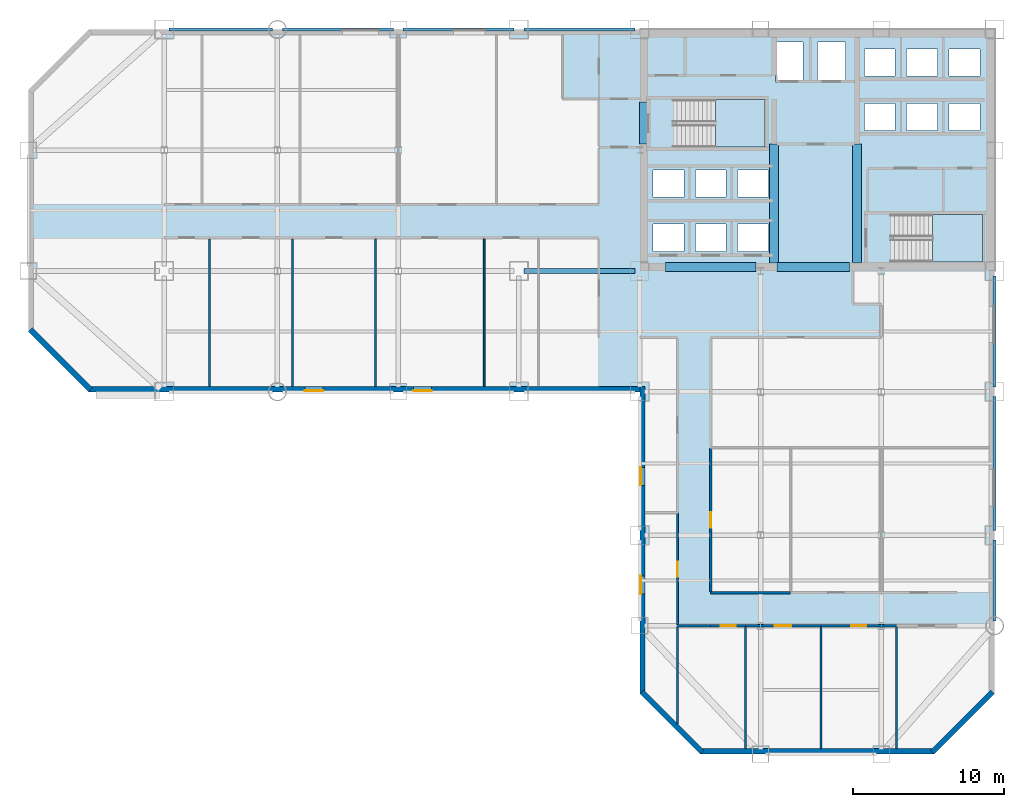
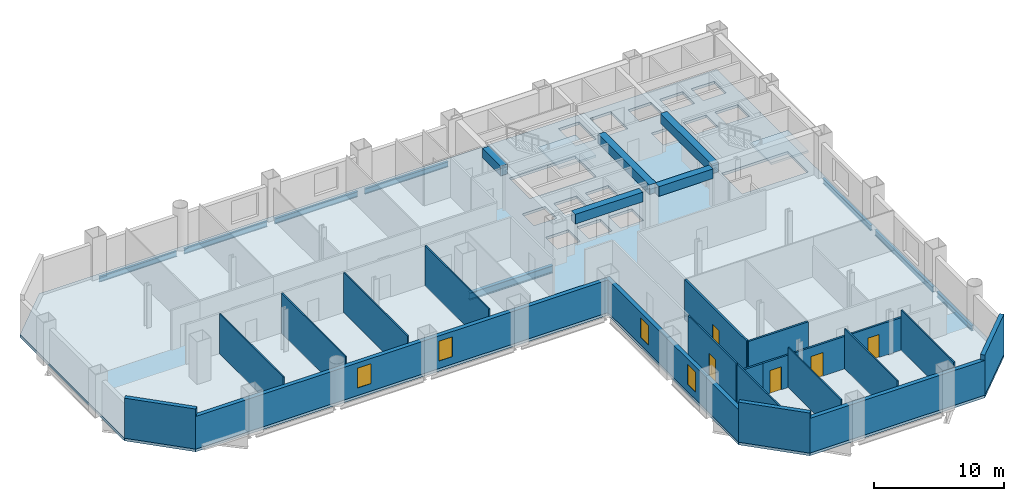
# One storey, part 4 of 9: 21 walls, 13 beams, 5 doors, 4 windows, 3 slabs, 9 openings, 2 elements without a shape of their own.
"""IFC4 building model written with IfcOpenShell, lengths in metres."""

from ifc_helpers import new_model, si_unit, direction, frame, frame_2d, origin, origin_2d, place, context, subcontext, project, spatial, polyline, rectangle, i_section, outline, extrude, material, layer, layer_set, material_profile, profile_set, type_object, element, fill, aggregate, save


model = new_model("IFC4")

# Units and contexts
model_context = context("Model", 3, precision=1e-05, world=origin(), true_north=direction((0.0, 1.0)))
body_context = subcontext(model_context, "Body", "Model", "MODEL_VIEW")
ifc_project = project(units=[si_unit("LENGTHUNIT", "METRE"), si_unit("AREAUNIT", "SQUARE_METRE"), si_unit("VOLUMEUNIT", "CUBIC_METRE"), si_unit("PLANEANGLEUNIT", "RADIAN"), si_unit("MASSUNIT", "GRAM", prefix="KILO")], contexts=[model_context])

# Site, building, storey
site_placement = place(None, origin())
site = spatial("IfcSite", under=ifc_project, at=site_placement, CompositionType="ELEMENT")
building_placement = place(site_placement, origin())
building = spatial("IfcBuilding", under=site, at=building_placement, Name="Qianrong Seaharbour Tower", CompositionType="ELEMENT")
storey_placement = place(building_placement, frame((0.0, 0.0, 96.199951171875)))
storey = spatial("IfcBuildingStorey", under=building, at=storey_placement, Name="L23", CompositionType="ELEMENT", Elevation=96.199951171875)

# Beams
ifc_material_1 = material(Name="Structural steel SN490B", Category="steel")
ifc_material_profile_1 = material_profile(ifc_material_1, i_section(OverallWidth=0.300048828125, OverallDepth=0.699951171875, WebThickness=0.012939453125, FlangeThickness=0.02392578125, FilletRadius=0.02587890625, at=origin_2d()), Name="H700x300x13x24")
ifc_profile_set_1 = profile_set([ifc_material_profile_1], Name="Structural steel SN490B")
beam_type_1 = type_object("IfcBeamType", Name="BM-G-700", PredefinedType="BEAM", material=ifc_profile_set_1)
beam_1_placement = place(storey_placement, frame((32.820068359375, 36.0, -0.599853515625), z_axis=(1.0, 0.0, 0.0), x_axis=(0.0, 1.0, 0.0)))
element("IfcBeam", 1, at=beam_1_placement, inside=storey, type_object=beam_type_1, Name="L23 Primary Girder GF G5-G6", PredefinedType="BEAM", context=body_context, shape_type="SweptSolid", body=[
    extrude(i_section(OverallWidth=0.300048828125, OverallDepth=0.699951171875, WebThickness=0.012939453125, FlangeThickness=0.02392578125, FilletRadius=0.02587890625, at=origin_2d()), origin(), (0.0, 0.0, 1.0), 7.35986328125),
])
ifc_material_2 = material(Name="Concrete C70/85", Category="concrete")
ifc_material_profile_2 = material_profile(ifc_material_2, rectangle(XDim=0.60009765625, YDim=0.89990234375, at=origin_2d()), Name="RC600x900")
ifc_profile_set_2 = profile_set([ifc_material_profile_2], Name="Concrete C70/85")
beam_type_2 = type_object("IfcBeamType", Name="BM-LINTEL-900", PredefinedType="LINTEL", material=ifc_profile_set_2)
beam_2_placement = place(storey_placement, frame((40.77001953125, 44.39990234375, 3.300048828125), z_axis=(0.0, 1.0, 0.0), x_axis=(-1.0, 0.0, 0.0)))
element("IfcBeam", 2, at=beam_2_placement, inside=storey, type_object=beam_type_2, Name="L23 Core Coupling Lintel Beam West", PredefinedType="LINTEL", context=body_context, shape_type="SweptSolid", body=[
    extrude(rectangle(XDim=0.60009765625, YDim=0.89990234375, at=origin_2d()), origin(), (0.0, 0.0, 1.0), 2.800048828125),
])
beam_3_placement = place(storey_placement, frame((42.199951171875, 36.27001953125, 3.300048828125), z_axis=(1.0, 0.0, 0.0), x_axis=(0.0, 1.0, 0.0)))
element("IfcBeam", 3, at=beam_3_placement, inside=storey, type_object=beam_type_2, Name="L23 Core Coupling Lintel Beam CBW", PredefinedType="LINTEL", context=body_context, shape_type="SweptSolid", body=[
    extrude(rectangle(XDim=0.60009765625, YDim=0.89990234375, at=origin_2d()), origin(), (0.0, 0.0, 1.0), 6.0),
])
beam_4_placement = place(storey_placement, frame((49.60009765625, 36.27001953125, 3.300048828125), z_axis=(1.0, 0.0, 0.0), x_axis=(0.0, 1.0, 0.0)))
element("IfcBeam", 4, at=beam_4_placement, inside=storey, type_object=beam_type_2, Name="L23 Core Coupling Lintel Beam CBC", PredefinedType="LINTEL", context=body_context, shape_type="SweptSolid", body=[
    extrude(rectangle(XDim=0.60009765625, YDim=0.89990234375, at=origin_2d()), origin(), (0.0, 0.0, 1.0), 4.7998046875),
])
for number, where, z_axis, x_axis, name in (
    (5, (49.39990234375, 36.5400390625, 3.300048828125), (0.0, 1.0, 0.0), (-1.0, 0.0, 0.0), "L23 Internal Core Coupling Beam IW1"),
    (6, (54.89990234375, 36.5400390625, 3.300048828125), (0.0, 1.0, 0.0), (-1.0, 0.0, 0.0), "L23 Internal Core Coupling Beam IW2"),
):
    element("IfcBeam", number, at=place(storey_placement, frame(where, z_axis=z_axis, x_axis=x_axis)), inside=storey, type_object=beam_type_2, Name=name, PredefinedType="LINTEL", context=body_context, shape_type="SweptSolid", body=[
        extrude(rectangle(XDim=0.60009765625, YDim=0.89990234375, at=origin_2d()), origin(), (0.0, 0.0, 1.0), 7.85986328125),
    ])
ifc_material_profile_3 = material_profile(ifc_material_1, i_section(OverallWidth=0.199951171875, OverallDepth=0.5, WebThickness=0.010009765625, FlangeThickness=0.01611328125, FilletRadius=0.02001953125, at=origin_2d()), Name="H500x200x10x16")
ifc_profile_set_3 = profile_set([ifc_material_profile_3], Name="Structural steel SN490B")
beam_type_3 = type_object("IfcBeamType", Name="BM-SP-500", PredefinedType="SPANDREL", material=ifc_profile_set_3)
beam_5_placement = place(storey_placement, frame((9.320068359375, 52.0, -0.5), z_axis=(1.0, 0.0, 0.0), x_axis=(0.0, 1.0, 0.0)))
element("IfcBeam", 7, at=beam_5_placement, inside=storey, type_object=beam_type_3, Name="L23 Spandrel Girder GH G2-G3", PredefinedType="SPANDREL", context=body_context, shape_type="SweptSolid", body=[
    extrude(i_section(OverallWidth=0.199951171875, OverallDepth=0.5, WebThickness=0.010009765625, FlangeThickness=0.01611328125, FilletRadius=0.02001953125, at=origin_2d()), origin(), (0.0, 0.0, 1.0), 6.85986328125),
])
for number, where, z_axis, x_axis, name in (
    (8, (16.820068359375, 52.0, -0.5), (1.0, 0.0, 0.0), (0.0, 1.0, 0.0), "L23 Spandrel Girder GH G3-G4"),
    (9, (24.820068359375, 52.0, -0.5), (1.0, 0.0, 0.0), (0.0, 1.0, 0.0), "L23 Spandrel Girder GH G4-G5"),
    (10, (32.820068359375, 52.0, -0.5), (1.0, 0.0, 0.0), (0.0, 1.0, 0.0), "L23 Spandrel Girder GH G5-G6"),
):
    element("IfcBeam", number, at=place(storey_placement, frame(where, z_axis=z_axis, x_axis=x_axis)), inside=storey, type_object=beam_type_3, Name=name, PredefinedType="SPANDREL", context=body_context, shape_type="SweptSolid", body=[
        extrude(i_section(OverallWidth=0.199951171875, OverallDepth=0.5, WebThickness=0.010009765625, FlangeThickness=0.01611328125, FilletRadius=0.02001953125, at=origin_2d()), origin(), (0.0, 0.0, 1.0), 7.35986328125),
    ])
beam_6_placement = place(storey_placement, frame((64.0, 12.820068359375, -0.5), z_axis=(0.0, 1.0, 0.0), x_axis=(-1.0, 0.0, 0.0)))
element("IfcBeam", 11, at=beam_6_placement, inside=storey, type_object=beam_type_3, Name="L23 Spandrel Girder G9 GC-GD", PredefinedType="SPANDREL", context=body_context, shape_type="SweptSolid", body=[
    extrude(i_section(OverallWidth=0.199951171875, OverallDepth=0.5, WebThickness=0.010009765625, FlangeThickness=0.01611328125, FilletRadius=0.02001953125, at=origin_2d()), origin(), (0.0, 0.0, 1.0), 5.35986328125),
])
beam_7_placement = place(storey_placement, frame((64.0, 18.820068359375, -0.5), z_axis=(0.0, 1.0, 0.0), x_axis=(-1.0, 0.0, 0.0)))
element("IfcBeam", 12, at=beam_7_placement, inside=storey, type_object=beam_type_3, Name="L23 Spandrel Girder G9 GD-GE", PredefinedType="SPANDREL", context=body_context, shape_type="SweptSolid", body=[
    extrude(i_section(OverallWidth=0.199951171875, OverallDepth=0.5, WebThickness=0.010009765625, FlangeThickness=0.01611328125, FilletRadius=0.02001953125, at=origin_2d()), origin(), (0.0, 0.0, 1.0), 8.85986328125),
])
beam_8_placement = place(storey_placement, frame((64.0, 28.320068359375, -0.5), z_axis=(0.0, 1.0, 0.0), x_axis=(-1.0, 0.0, 0.0)))
element("IfcBeam", 13, at=beam_8_placement, inside=storey, type_object=beam_type_3, Name="L23 Spandrel Girder G9 GE-GF", PredefinedType="SPANDREL", context=body_context, shape_type="SweptSolid", body=[
    extrude(i_section(OverallWidth=0.199951171875, OverallDepth=0.5, WebThickness=0.010009765625, FlangeThickness=0.01611328125, FilletRadius=0.02001953125, at=origin_2d()), origin(), (0.0, 0.0, 1.0), 7.35986328125),
])

# Stair, slab
ifc_material_3 = material(Name="Concrete C50/60", Category="concrete")
stair_type = type_object("IfcStairType", Name="STAIR-DOGLEG-1500-R22", PredefinedType="HALF_TURN_STAIR", material=ifc_material_3)
stair_1_placement = place(storey_placement, origin())
stair_1 = element("IfcStair", 14, at=stair_1_placement, inside=storey, type_object=stair_type, Name="L23 Protected Escape Stair ST-1", PredefinedType="HALF_TURN_STAIR")
ifc_layer_1 = layer(ifc_material_3, 0.199951171875)
ifc_layer_set_1 = layer_set([ifc_layer_1], Name="Concrete C50/60")
slab_type_1 = type_object("IfcSlabType", Name="SLAB-STAIR-LANDING-200", PredefinedType="LANDING", material=ifc_layer_set_1)
slab_1_placement = place(storey_placement, frame((0.0, 0.0, 1.800048828125)))
slab_1 = element("IfcSlab", 15, at=slab_1_placement, type_object=slab_type_1, Name="ST-1 landing 1", PredefinedType="LANDING", context=body_context, shape_type="SweptSolid", body=[
    extrude(outline(polyline([(45.5, 44.199951171875), (48.800048828125, 44.199951171875), (48.800048828125, 47.35009765625), (45.5, 47.35009765625), (45.5, 44.199951171875)])), origin(), (0.0, 0.0, 1.0), 0.199951171875),
])
aggregate(stair_1, [slab_1])

stair_2_placement = place(storey_placement, origin())
stair_2 = element("IfcStair", 16, at=stair_2_placement, inside=storey, type_object=stair_type, Name="L23 Protected Escape Stair ST-2", PredefinedType="HALF_TURN_STAIR")
slab_2_placement = place(storey_placement, frame((0.0, 0.0, 1.800048828125)))
slab_2 = element("IfcSlab", 17, at=slab_2_placement, type_object=slab_type_1, Name="ST-2 landing 1", PredefinedType="LANDING", context=body_context, shape_type="SweptSolid", body=[
    extrude(outline(polyline([(59.89990234375, 36.60009765625), (63.199951171875, 36.60009765625), (63.199951171875, 39.75), (59.89990234375, 39.75), (59.89990234375, 36.60009765625)])), origin(), (0.0, 0.0, 1.0), 0.199951171875),
])
aggregate(stair_2, [slab_2])

# Slab
ifc_layer_2 = layer(ifc_material_3, 0.25)
ifc_layer_set_2 = layer_set([ifc_layer_2], Name="Concrete C50/60")
slab_type_2 = type_object("IfcSlabType", Name="SLAB-Z1-250", PredefinedType="FLOOR", material=ifc_layer_set_2)
slab_3_placement = place(storey_placement, frame((0.0, 0.0, -0.25)))
element("IfcSlab", 18, at=slab_3_placement, inside=storey, type_object=slab_type_2, Name="L23 Structural Floor Slab", PredefinedType="FLOOR", context=body_context, shape_type="SweptSolid", body=[
    extrude(outline(polyline([(44.5, 4.0), (60.0, 4.0), (64.0, 8.0), (64.0, 52.0), (4.0, 52.0), (0.0, 48.0), (0.0, 32.0), (4.0, 28.0), (40.5, 28.0), (40.5, 8.0), (44.5, 4.0)]), holes=[polyline([(42.93994140625, 44.199951171875), (42.93994140625, 47.35009765625), (48.800048828125, 47.35009765625), (48.800048828125, 44.199951171875), (42.93994140625, 44.199951171875)]), polyline([(57.340087890625, 36.60009765625), (57.340087890625, 39.75), (63.199951171875, 39.75), (63.199951171875, 36.60009765625), (57.340087890625, 36.60009765625)]), polyline([(49.47998046875, 48.530029296875), (49.47998046875, 51.169921875), (51.320068359375, 51.169921875), (51.320068359375, 48.530029296875), (49.47998046875, 48.530029296875)]), polyline([(52.280029296875, 48.530029296875), (52.280029296875, 51.169921875), (54.1201171875, 51.169921875), (54.1201171875, 48.530029296875), (52.280029296875, 48.530029296875)]), polyline([(41.3798828125, 37.300048828125), (41.3798828125, 39.10009765625), (43.419921875, 39.10009765625), (43.419921875, 37.300048828125), (41.3798828125, 37.300048828125)]), polyline([(44.179931640625, 37.300048828125), (44.179931640625, 39.10009765625), (46.219970703125, 39.10009765625), (46.219970703125, 37.300048828125), (44.179931640625, 37.300048828125)]), polyline([(46.97998046875, 37.300048828125), (46.97998046875, 39.10009765625), (49.02001953125, 39.10009765625), (49.02001953125, 37.300048828125), (46.97998046875, 37.300048828125)]), polyline([(41.3798828125, 40.89990234375), (41.3798828125, 42.699951171875), (43.419921875, 42.699951171875), (43.419921875, 40.89990234375), (41.3798828125, 40.89990234375)]), polyline([(44.179931640625, 40.89990234375), (44.179931640625, 42.699951171875), (46.219970703125, 42.699951171875), (46.219970703125, 40.89990234375), (44.179931640625, 40.89990234375)]), polyline([(46.97998046875, 40.89990234375), (46.97998046875, 42.699951171875), (49.02001953125, 42.699951171875), (49.02001953125, 40.89990234375), (46.97998046875, 40.89990234375)]), polyline([(55.3798828125, 45.300048828125), (55.3798828125, 47.10009765625), (57.419921875, 47.10009765625), (57.419921875, 45.300048828125), (55.3798828125, 45.300048828125)]), polyline([(58.179931640625, 45.300048828125), (58.179931640625, 47.10009765625), (60.219970703125, 47.10009765625), (60.219970703125, 45.300048828125), (58.179931640625, 45.300048828125)]), polyline([(60.97998046875, 45.300048828125), (60.97998046875, 47.10009765625), (63.02001953125, 47.10009765625), (63.02001953125, 45.300048828125), (60.97998046875, 45.300048828125)]), polyline([(55.3798828125, 48.89990234375), (55.3798828125, 50.699951171875), (57.419921875, 50.699951171875), (57.419921875, 48.89990234375), (55.3798828125, 48.89990234375)]), polyline([(58.179931640625, 48.89990234375), (58.179931640625, 50.699951171875), (60.219970703125, 50.699951171875), (60.219970703125, 48.89990234375), (58.179931640625, 48.89990234375)]), polyline([(60.97998046875, 48.89990234375), (60.97998046875, 50.699951171875), (63.02001953125, 50.699951171875), (63.02001953125, 48.89990234375), (60.97998046875, 48.89990234375)])]), origin(), (0.0, 0.0, 1.0), 0.25),
])

# Wall, opening, door
ifc_material_4 = material(Name="Fire-rated acoustic gypsum board partition")
ifc_layer_3 = layer(ifc_material_4, 0.1650390625)
ifc_layer_set_3 = layer_set([ifc_layer_3], Name="Fire-rated acoustic gypsum board partition")
wall_type_1 = type_object("IfcWallType", Name="WALL-CORR-PART-165", PredefinedType="PARTITIONING", material=ifc_layer_set_3)
wall_1_placement = place(storey_placement, frame((45.199951171875, 24.242919921875, 0.0), z_axis=(0.0, 0.0, 1.0), x_axis=(0.0, -1.0, 0.0)))
wall_1 = element("IfcWall", 19, at=wall_1_placement, inside=storey, type_object=wall_type_1, Name="L23 Interior Partition Wall 034", PredefinedType="PARTITIONING", context=body_context, shape_type="SweptSolid", body=[
    extrude(rectangle(XDim=9.468505859375, YDim=0.1650390625, at=frame_2d((4.734375, 0.0))), origin(), (0.0, 0.0, 1.0), 3.75),
])
opening_1_placement = place(wall_1_placement, frame((4.234375, 0.0, 0.0)))
opening_1 = element("IfcOpeningElement", 20, at=opening_1_placement, cuts=wall_1, Name="Opening DO-01", PredefinedType="OPENING", context=body_context, shape_type="SweptSolid", body=[
    extrude(rectangle(XDim=1.0, YDim=2.14990234375, at=frame_2d((0.5, 1.074951171875))), frame((0.0, 0.092529296875, 0.0), z_axis=(0.0, -1.0, 0.0), x_axis=(1.0, 0.0, 0.0)), (0.0, 0.0, 1.0), 0.18505859375),
])
ifc_material_5 = material(Name="Acoustic timber and galvanized steel fire door assembly", Category="steel")
door_type_1 = type_object("IfcDoorType", Name="DOOR-OFFICE-1000x2150", OperationType="NOTDEFINED", PredefinedType="DOOR", material=ifc_material_5)
door_1_placement = place(opening_1_placement, origin())
door_1 = element("IfcDoor", 21, at=door_1_placement, inside=storey, type_object=door_type_1, Name="L23 Chartering Model Showroom 1 Door", OperationType="SINGLE_SWING_LEFT", OverallHeight=2.14990234375, OverallWidth=1.0, PredefinedType="DOOR", context=body_context, shape_type="SweptSolid", body=[
    extrude(rectangle(XDim=1.0, YDim=2.14990234375, at=frame_2d((0.5, 1.074951171875))), frame((0.0, 0.02490234375, 0.0), z_axis=(0.0, -1.0, 0.0), x_axis=(1.0, 0.0, 0.0)), (0.0, 0.0, 1.0), 0.050048828125),
])
fill(opening_1, door_1)

# Walls
wall_2_placement = place(storey_placement, frame((45.199951171875, 12.5, 0.0), z_axis=(0.0, 0.0, 1.0), x_axis=(-1.0, 0.0, 0.0)))
element("IfcWall", 22, at=wall_2_placement, inside=storey, type_object=wall_type_1, Name="L23 Interior Partition Wall 037", PredefinedType="PARTITIONING", context=body_context, shape_type="SweptSolid", body=[
    extrude(rectangle(XDim=2.199951171875, YDim=0.1650390625, at=frame_2d((1.10009765625, 0.0))), origin(), (0.0, 0.0, 1.0), 3.0419921875),
])
wall_3_placement = place(storey_placement, frame((45.199951171875, 14.699951171875, 0.0), z_axis=(0.0, 0.0, 1.0), x_axis=(1.0, 0.0, 0.0)))
element("IfcWall", 23, at=wall_3_placement, inside=storey, type_object=wall_type_1, Name="L23 Interior Partition Wall 038", PredefinedType="PARTITIONING", context=body_context, shape_type="SweptSolid", body=[
    extrude(rectangle(XDim=5.300048828125, YDim=0.1650390625, at=frame_2d((2.64990234375, 0.0))), origin(), (0.0, 0.0, 1.0), 3.75),
])

# Wall, opening, door
wall_4_placement = place(storey_placement, frame((47.5, 12.5, 0.0), z_axis=(0.0, 0.0, 1.0), x_axis=(-1.0, 0.0, 0.0)))
wall_4 = element("IfcWall", 24, at=wall_4_placement, inside=storey, type_object=wall_type_1, Name="L23 Interior Partition Wall 041", PredefinedType="PARTITIONING", context=body_context, shape_type="SweptSolid", body=[
    extrude(rectangle(XDim=2.300048828125, YDim=0.1650390625, at=frame_2d((1.14990234375, 0.0))), origin(), (0.0, 0.0, 1.0), 3.0419921875),
])
opening_2_placement = place(wall_4_placement, frame((0.64990234375, 0.0, 0.0)))
opening_2 = element("IfcOpeningElement", 25, at=opening_2_placement, cuts=wall_4, Name="Opening DO-01", PredefinedType="OPENING", context=body_context, shape_type="SweptSolid", body=[
    extrude(rectangle(XDim=1.0, YDim=2.14990234375, at=frame_2d((0.5, 1.074951171875))), frame((0.0, 0.092529296875, 0.0), z_axis=(0.0, -1.0, 0.0), x_axis=(1.0, 0.0, 0.0)), (0.0, 0.0, 1.0), 0.18505859375),
])
door_2_placement = place(opening_2_placement, origin())
door_2 = element("IfcDoor", 26, at=door_2_placement, inside=storey, type_object=door_type_1, Name="L23 Harbour Trade Lounge 1 Door", OperationType="SINGLE_SWING_LEFT", OverallHeight=2.14990234375, OverallWidth=1.0, PredefinedType="DOOR", context=body_context, shape_type="SweptSolid", body=[
    extrude(rectangle(XDim=1.0, YDim=2.14990234375, at=frame_2d((0.5, 1.074951171875))), frame((0.0, 0.02490234375, 0.0), z_axis=(0.0, -1.0, 0.0), x_axis=(1.0, 0.0, 0.0)), (0.0, 0.0, 1.0), 0.050048828125),
])
fill(opening_2, door_2)

wall_5_placement = place(storey_placement, frame((52.5, 12.5, 0.0), z_axis=(0.0, 0.0, 1.0), x_axis=(-1.0, 0.0, 0.0)))
wall_5 = element("IfcWall", 27, at=wall_5_placement, inside=storey, type_object=wall_type_1, Name="L23 Interior Partition Wall 042", PredefinedType="PARTITIONING", context=body_context, shape_type="SweptSolid", body=[
    extrude(rectangle(XDim=5.0, YDim=0.1650390625, at=frame_2d((2.5, 0.0))), origin(), (0.0, 0.0, 1.0), 3.0419921875),
])
opening_3_placement = place(wall_5_placement, frame((1.949951171875, 0.0, 0.0)))
opening_3 = element("IfcOpeningElement", 28, at=opening_3_placement, cuts=wall_5, Name="Opening DM-01", PredefinedType="OPENING", context=body_context, shape_type="SweptSolid", body=[
    extrude(rectangle(XDim=1.10009765625, YDim=2.199951171875, at=frame_2d((0.550048828125, 1.10009765625))), frame((0.0, 0.092529296875, 0.0), z_axis=(0.0, -1.0, 0.0), x_axis=(1.0, 0.0, 0.0)), (0.0, 0.0, 1.0), 0.18505859375),
])
door_type_2 = type_object("IfcDoorType", Name="DOOR-MEET-1100x2200", OperationType="NOTDEFINED", PredefinedType="DOOR", material=ifc_material_5)
door_3_placement = place(opening_3_placement, origin())
door_3 = element("IfcDoor", 29, at=door_3_placement, inside=storey, type_object=door_type_2, Name="L23 Contract Signing Room 2 Door", OperationType="SINGLE_SWING_RIGHT", OverallHeight=2.199951171875, OverallWidth=1.10009765625, PredefinedType="DOOR", context=body_context, shape_type="SweptSolid", body=[
    extrude(rectangle(XDim=1.10009765625, YDim=2.199951171875, at=frame_2d((0.550048828125, 1.10009765625))), frame((0.0, 0.02490234375, 0.0), z_axis=(0.0, -1.0, 0.0), x_axis=(1.0, 0.0, 0.0)), (0.0, 0.0, 1.0), 0.050048828125),
])
fill(opening_3, door_3)

wall_6_placement = place(storey_placement, frame((57.5, 12.5, 0.0), z_axis=(0.0, 0.0, 1.0), x_axis=(-1.0, 0.0, 0.0)))
wall_6 = element("IfcWall", 30, at=wall_6_placement, inside=storey, type_object=wall_type_1, Name="L23 Interior Partition Wall 043", PredefinedType="PARTITIONING", context=body_context, shape_type="SweptSolid", body=[
    extrude(rectangle(XDim=5.0, YDim=0.1650390625, at=frame_2d((2.5, 0.0))), origin(), (0.0, 0.0, 1.0), 3.0419921875),
])
opening_4_placement = place(wall_6_placement, frame((2.0, 0.0, 0.0)))
opening_4 = element("IfcOpeningElement", 31, at=opening_4_placement, cuts=wall_6, Name="Opening DO-01", PredefinedType="OPENING", context=body_context, shape_type="SweptSolid", body=[
    extrude(rectangle(XDim=1.0, YDim=2.14990234375, at=frame_2d((0.5, 1.074951171875))), frame((0.0, 0.092529296875, 0.0), z_axis=(0.0, -1.0, 0.0), x_axis=(1.0, 0.0, 0.0)), (0.0, 0.0, 1.0), 0.18505859375),
])
door_4_placement = place(opening_4_placement, origin())
door_4 = element("IfcDoor", 32, at=door_4_placement, inside=storey, type_object=door_type_1, Name="L23 Marine Showcase Showroom 3 Door", OperationType="SINGLE_SWING_LEFT", OverallHeight=2.14990234375, OverallWidth=1.0, PredefinedType="DOOR", context=body_context, shape_type="SweptSolid", body=[
    extrude(rectangle(XDim=1.0, YDim=2.14990234375, at=frame_2d((0.5, 1.074951171875))), frame((0.0, 0.02490234375, 0.0), z_axis=(0.0, -1.0, 0.0), x_axis=(1.0, 0.0, 0.0)), (0.0, 0.0, 1.0), 0.050048828125),
])
fill(opening_4, door_4)

# Walls
ifc_material_6 = material(Name="Demountable aluminium-framed acoustic office partition", Category="aluminium")
ifc_layer_4 = layer(ifc_material_6, 0.110107421875)
ifc_layer_set_4 = layer_set([ifc_layer_4], Name="Demountable aluminium-framed acoustic office partition")
wall_type_2 = type_object("IfcWallType", Name="WALL-DEMOUNT-110", PredefinedType="MOVABLE", material=ifc_layer_set_4)
for number, where, z_axis, x_axis, name in (
    (33, (12.0, 38.12548828125, 0.0), (0.0, 0.0, 1.0), (0.0, -1.0, 0.0), "L23 Interior Partition Wall 054"),
    (34, (17.5, 38.12548828125, 0.0), (0.0, 0.0, 1.0), (0.0, -1.0, 0.0), "L23 Interior Partition Wall 055"),
    (35, (23.0, 38.12548828125, 0.0), (0.0, 0.0, 1.0), (0.0, -1.0, 0.0), "L23 Interior Partition Wall 056"),
    (36, (30.199951171875, 38.12548828125, 0.0), (0.0, 0.0, 1.0), (0.0, -1.0, 0.0), "L23 Interior Partition Wall 057"),
):
    element("IfcWall", number, at=place(storey_placement, frame(where, z_axis=z_axis, x_axis=x_axis)), inside=storey, type_object=wall_type_2, Name=name, PredefinedType="MOVABLE", context=body_context, shape_type="SweptSolid", body=[
        extrude(rectangle(XDim=9.7734375, YDim=0.110107421875, at=frame_2d((4.88671875, 0.0))), origin(), (0.0, 0.0, 1.0), 3.75),
    ])
for number, where, z_axis, x_axis, name in (
    (37, (47.5, 12.425537109375, 0.0), (0.0, 0.0, 1.0), (0.0, -1.0, 0.0), "L23 Interior Partition Wall 061"),
    (38, (52.5, 12.425537109375, 0.0), (0.0, 0.0, 1.0), (0.0, -1.0, 0.0), "L23 Interior Partition Wall 062"),
    (39, (57.5, 12.425537109375, 0.0), (0.0, 0.0, 1.0), (0.0, -1.0, 0.0), "L23 Interior Partition Wall 063"),
):
    element("IfcWall", number, at=place(storey_placement, frame(where, z_axis=z_axis, x_axis=x_axis)), inside=storey, type_object=wall_type_2, Name=name, PredefinedType="MOVABLE", context=body_context, shape_type="SweptSolid", body=[
        extrude(rectangle(XDim=8.073486328125, YDim=0.110107421875, at=frame_2d((4.03662109375, 0.0))), origin(), (0.0, 0.0, 1.0), 3.75),
    ])

# Wall, openings, windows
ifc_material_7 = material(Name="Unitised red brick on Precast concrete C45/55", Category="masonry")
ifc_layer_5 = layer(ifc_material_7, 0.360107421875)
ifc_layer_set_5 = layer_set([ifc_layer_5], Name="Unitised red brick on Precast concrete C45/55")
wall_type_3 = type_object("IfcWallType", Name="WALL-EXT-BRICK-RED-360", PredefinedType="SOLIDWALL", material=ifc_layer_set_5)
wall_7_placement = place(storey_placement, frame((40.679931640625, 8.0, 0.0), z_axis=(0.0, 0.0, 1.0), x_axis=(0.0, 1.0, 0.0)))
wall_7 = element("IfcWall", 40, at=wall_7_placement, inside=storey, type_object=wall_type_3, Name="L23 Exterior Masonry Facade Wall REENTRANT_WEST", PredefinedType="SOLIDWALL", context=body_context, shape_type="SweptSolid", body=[
    extrude(rectangle(XDim=20.360107421875, YDim=0.360107421875, at=frame_2d((10.18017578125, 0.0))), origin(), (0.0, 0.0, 1.0), 3.050048828125),
])
opening_5_placement = place(wall_7_placement, frame((6.60009765625, 0.0, 0.699951171875)))
opening_5 = element("IfcOpeningElement", 41, at=opening_5_placement, cuts=wall_7, Name="Opening WN-01", PredefinedType="OPENING", context=body_context, shape_type="SweptSolid", body=[
    extrude(rectangle(XDim=1.199951171875, YDim=1.85009765625, at=frame_2d((0.60009765625, 0.925048828125))), frame((0.0, 0.18994140625, 0.0), z_axis=(0.0, -1.0, 0.0), x_axis=(1.0, 0.0, 0.0)), (0.0, 0.0, 1.0), 0.380126953125),
])
opening_6_placement = place(wall_7_placement, frame((13.800048828125, 0.0, 0.699951171875)))
opening_6 = element("IfcOpeningElement", 42, at=opening_6_placement, cuts=wall_7, Name="Opening WN-01", PredefinedType="OPENING", context=body_context, shape_type="SweptSolid", body=[
    extrude(rectangle(XDim=1.199951171875, YDim=1.85009765625, at=frame_2d((0.60009765625, 0.925048828125))), frame((0.0, 0.18994140625, 0.0), z_axis=(0.0, -1.0, 0.0), x_axis=(1.0, 0.0, 0.0)), (0.0, 0.0, 1.0), 0.380126953125),
])
ifc_material_8 = material(Name="Insulated low-e double glazing in thermally broken aluminium 6063-T6 frame", Category="aluminium")
window_type = type_object("IfcWindowType", Name="WIN-PUNCH-1200x1850", PartitioningType="DOUBLE_PANEL_VERTICAL", PredefinedType="WINDOW", material=ifc_material_8)
window_1_placement = place(opening_5_placement, origin())
window_1 = element("IfcWindow", 43, at=window_1_placement, inside=storey, type_object=window_type, Name="L23 Deep-Set Punched Window 00.02", OverallHeight=1.85009765625, OverallWidth=1.199951171875, PartitioningType="DOUBLE_PANEL_VERTICAL", PredefinedType="WINDOW", context=body_context, shape_type="SweptSolid", body=[
    extrude(rectangle(XDim=1.199951171875, YDim=1.85009765625, at=frame_2d((0.60009765625, 0.925048828125))), frame((0.0, 0.150146484375, 0.0), z_axis=(0.0, -1.0, 0.0), x_axis=(1.0, 0.0, 0.0)), (0.0, 0.0, 1.0), 0.06005859375),
])
fill(opening_5, window_1)
window_2_placement = place(opening_6_placement, origin())
window_2 = element("IfcWindow", 44, at=window_2_placement, inside=storey, type_object=window_type, Name="L23 Deep-Set Punched Window 00.04", OverallHeight=1.85009765625, OverallWidth=1.199951171875, PartitioningType="DOUBLE_PANEL_VERTICAL", PredefinedType="WINDOW", context=body_context, shape_type="SweptSolid", body=[
    extrude(rectangle(XDim=1.199951171875, YDim=1.85009765625, at=frame_2d((0.60009765625, 0.925048828125))), frame((0.0, 0.150146484375, 0.0), z_axis=(0.0, -1.0, 0.0), x_axis=(1.0, 0.0, 0.0)), (0.0, 0.0, 1.0), 0.06005859375),
])
fill(opening_6, window_2)

wall_8_placement = place(storey_placement, frame((40.52001953125, 28.179931640625, 0.0), z_axis=(0.0, 0.0, 1.0), x_axis=(-1.0, 0.0, 0.0)))
wall_8 = element("IfcWall", 45, at=wall_8_placement, inside=storey, type_object=wall_type_3, Name="L23 Exterior Masonry Facade Wall HARBOUR_RIBBON", PredefinedType="SOLIDWALL", context=body_context, shape_type="SweptSolid", body=[
    extrude(rectangle(XDim=36.52001953125, YDim=0.360107421875, at=frame_2d((18.260009765625, 0.0))), origin(), (0.0, 0.0, 1.0), 3.050048828125),
])
opening_7_placement = place(wall_8_placement, frame((13.800048828125, 0.0, 0.699951171875)))
opening_7 = element("IfcOpeningElement", 46, at=opening_7_placement, cuts=wall_8, Name="Opening WN-01", PredefinedType="OPENING", context=body_context, shape_type="SweptSolid", body=[
    extrude(rectangle(XDim=1.199951171875, YDim=1.85009765625, at=frame_2d((0.60009765625, 0.925048828125))), frame((0.0, 0.18994140625, 0.0), z_axis=(0.0, -1.0, 0.0), x_axis=(1.0, 0.0, 0.0)), (0.0, 0.0, 1.0), 0.380126953125),
])
opening_8_placement = place(wall_8_placement, frame((21.0, 0.0, 0.699951171875)))
opening_8 = element("IfcOpeningElement", 47, at=opening_8_placement, cuts=wall_8, Name="Opening WN-01", PredefinedType="OPENING", context=body_context, shape_type="SweptSolid", body=[
    extrude(rectangle(XDim=1.199951171875, YDim=1.85009765625, at=frame_2d((0.60009765625, 0.925048828125))), frame((0.0, 0.18994140625, 0.0), z_axis=(0.0, -1.0, 0.0), x_axis=(1.0, 0.0, 0.0)), (0.0, 0.0, 1.0), 0.380126953125),
])
window_3_placement = place(opening_7_placement, origin())
window_3 = element("IfcWindow", 48, at=window_3_placement, inside=storey, type_object=window_type, Name="L23 Deep-Set Punched Window 01.04", OverallHeight=1.85009765625, OverallWidth=1.199951171875, PartitioningType="DOUBLE_PANEL_VERTICAL", PredefinedType="WINDOW", context=body_context, shape_type="SweptSolid", body=[
    extrude(rectangle(XDim=1.199951171875, YDim=1.85009765625, at=frame_2d((0.60009765625, 0.925048828125))), frame((0.0, 0.150146484375, 0.0), z_axis=(0.0, -1.0, 0.0), x_axis=(1.0, 0.0, 0.0)), (0.0, 0.0, 1.0), 0.06005859375),
])
fill(opening_7, window_3)
window_4_placement = place(opening_8_placement, origin())
window_4 = element("IfcWindow", 49, at=window_4_placement, inside=storey, type_object=window_type, Name="L23 Deep-Set Punched Window 01.06", OverallHeight=1.85009765625, OverallWidth=1.199951171875, PartitioningType="DOUBLE_PANEL_VERTICAL", PredefinedType="WINDOW", context=body_context, shape_type="SweptSolid", body=[
    extrude(rectangle(XDim=1.199951171875, YDim=1.85009765625, at=frame_2d((0.60009765625, 0.925048828125))), frame((0.0, 0.150146484375, 0.0), z_axis=(0.0, -1.0, 0.0), x_axis=(1.0, 0.0, 0.0)), (0.0, 0.0, 1.0), 0.06005859375),
])
fill(opening_8, window_4)

# Walls
for number, where, z_axis, x_axis, name in (
    (50, (4.127197265625, 28.127197265625, 0.0), (0.0, 0.0, 1.0), (-0.707106781187, 0.707106781187, 0.0), "L23 Exterior Masonry Facade Wall E02"),
    (51, (63.872802734375, 8.127197265625, 0.0), (0.0, 0.0, 1.0), (-0.707106781187, -0.707106781187, 0.0), "L23 Exterior Masonry Facade Wall E07"),
):
    element("IfcWall", number, at=place(storey_placement, frame(where, z_axis=z_axis, x_axis=x_axis)), inside=storey, type_object=wall_type_3, Name=name, PredefinedType="SOLIDWALL", context=body_context, shape_type="SweptSolid", body=[
        extrude(rectangle(XDim=5.65673828125, YDim=0.360107421875, at=frame_2d((2.828369140625, 0.0))), origin(), (0.0, 0.0, 1.0), 3.75),
    ])
wall_9_placement = place(storey_placement, frame((60.0, 4.179931640625, 0.0), z_axis=(0.0, 0.0, 1.0), x_axis=(-1.0, 0.0, 0.0)))
element("IfcWall", 52, at=wall_9_placement, inside=storey, type_object=wall_type_3, Name="L23 Exterior Masonry Facade Wall SOUTH_TIP", PredefinedType="SOLIDWALL", context=body_context, shape_type="SweptSolid", body=[
    extrude(rectangle(XDim=15.5, YDim=0.360107421875, at=frame_2d((7.75, 0.0))), origin(), (0.0, 0.0, 1.0), 3.25),
])
wall_10_placement = place(storey_placement, frame((44.627197265625, 4.127197265625, 0.0), z_axis=(0.0, 0.0, 1.0), x_axis=(-0.707106781187, 0.707106781187, 0.0)))
element("IfcWall", 53, at=wall_10_placement, inside=storey, type_object=wall_type_3, Name="L23 Exterior Masonry Facade Wall E09", PredefinedType="SOLIDWALL", context=body_context, shape_type="SweptSolid", body=[
    extrude(rectangle(XDim=5.65673828125, YDim=0.360107421875, at=frame_2d((2.828369140625, 0.0))), origin(), (0.0, 0.0, 1.0), 3.75),
])

# Wall, opening, door
ifc_material_9 = material(Name="Water-resistant cement board sanitary partition")
ifc_layer_6 = layer(ifc_material_9, 0.1298828125)
ifc_layer_set_6 = layer_set([ifc_layer_6], Name="Water-resistant cement board sanitary partition")
wall_type_4 = type_object("IfcWallType", Name="WALL-WET-PART-130", PredefinedType="PARTITIONING", material=ifc_layer_set_6)
wall_11_placement = place(storey_placement, frame((43.0, 12.574462890625, 0.0), z_axis=(0.0, 0.0, 1.0), x_axis=(0.0, 1.0, 0.0)))
wall_11 = element("IfcWall", 54, at=wall_11_placement, inside=storey, type_object=wall_type_4, Name="L23 Interior Partition Wall 035", PredefinedType="PARTITIONING", context=body_context, shape_type="SweptSolid", body=[
    extrude(rectangle(XDim=7.36865234375, YDim=0.1298828125, at=frame_2d((3.684326171875, 0.0))), origin(), (0.0, 0.0, 1.0), 3.75),
])
opening_9_placement = place(wall_11_placement, frame((3.184326171875, 0.0, 0.0)))
opening_9 = element("IfcOpeningElement", 55, at=opening_9_placement, cuts=wall_11, Name="Opening DO-01", PredefinedType="OPENING", context=body_context, shape_type="SweptSolid", body=[
    extrude(rectangle(XDim=1.0, YDim=2.14990234375, at=frame_2d((0.5, 1.074951171875))), frame((0.0, 0.074951171875, 0.0), z_axis=(0.0, -1.0, 0.0), x_axis=(1.0, 0.0, 0.0)), (0.0, 0.0, 1.0), 0.14990234375),
])
door_5_placement = place(opening_9_placement, origin())
door_5 = element("IfcDoor", 56, at=door_5_placement, inside=storey, type_object=door_type_1, Name="L23 Wet Pantry 1 Door", OperationType="SINGLE_SWING_LEFT", OverallHeight=2.14990234375, OverallWidth=1.0, PredefinedType="DOOR", context=body_context, shape_type="SweptSolid", body=[
    extrude(rectangle(XDim=1.0, YDim=2.14990234375, at=frame_2d((0.5, 1.074951171875))), frame((0.0, 0.02490234375, 0.0), z_axis=(0.0, -1.0, 0.0), x_axis=(1.0, 0.0, 0.0)), (0.0, 0.0, 1.0), 0.050048828125),
])
fill(opening_9, door_5)

# Wall
wall_12_placement = place(storey_placement, frame((43.0, 12.425537109375, 0.0), z_axis=(0.0, 0.0, 1.0), x_axis=(0.0, -1.0, 0.0)))
element("IfcWall", 57, at=wall_12_placement, inside=storey, type_object=wall_type_4, Name="L23 Interior Partition Wall 060", PredefinedType="PARTITIONING", context=body_context, shape_type="SweptSolid", body=[
    extrude(rectangle(XDim=6.427734375, YDim=0.1298828125, at=frame_2d((3.2138671875, 0.0))), origin(), (0.0, 0.0, 1.0), 3.75),
])

save(model, "model.ifc")
